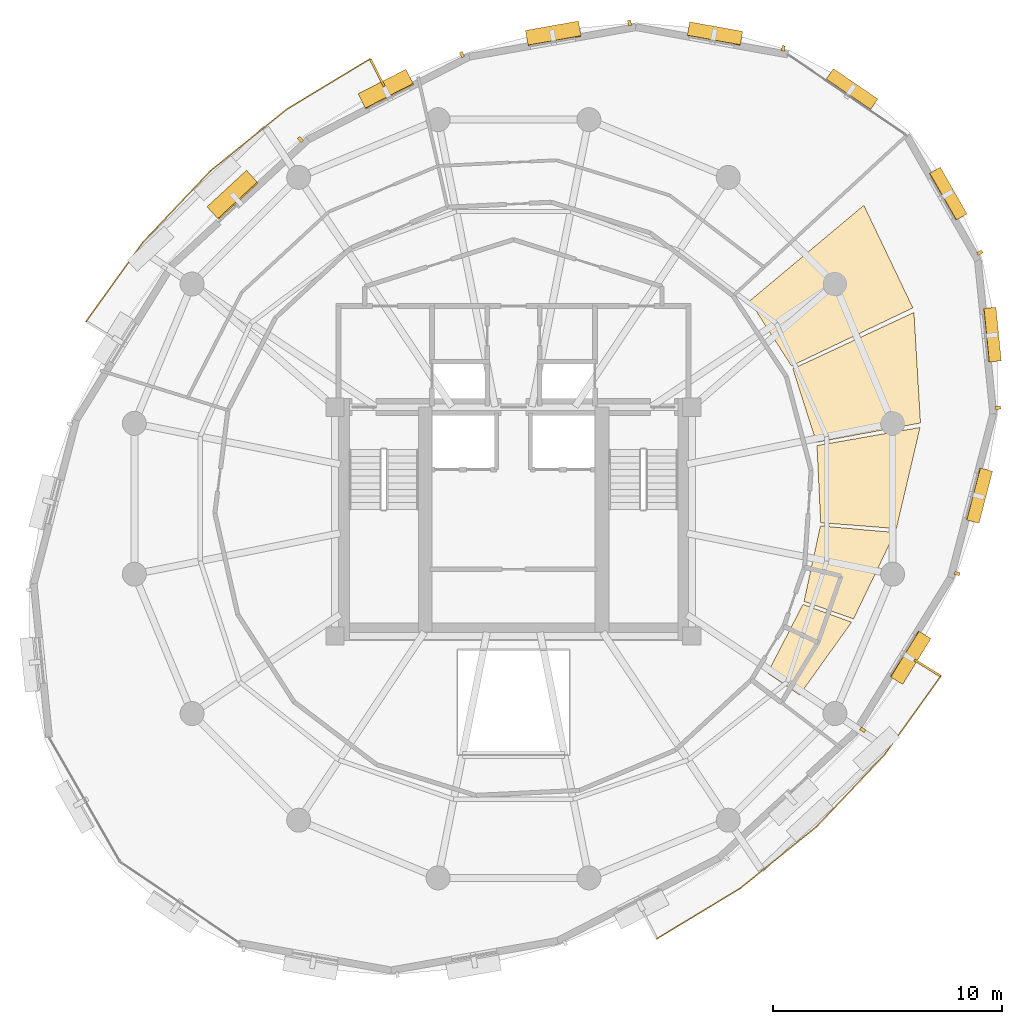
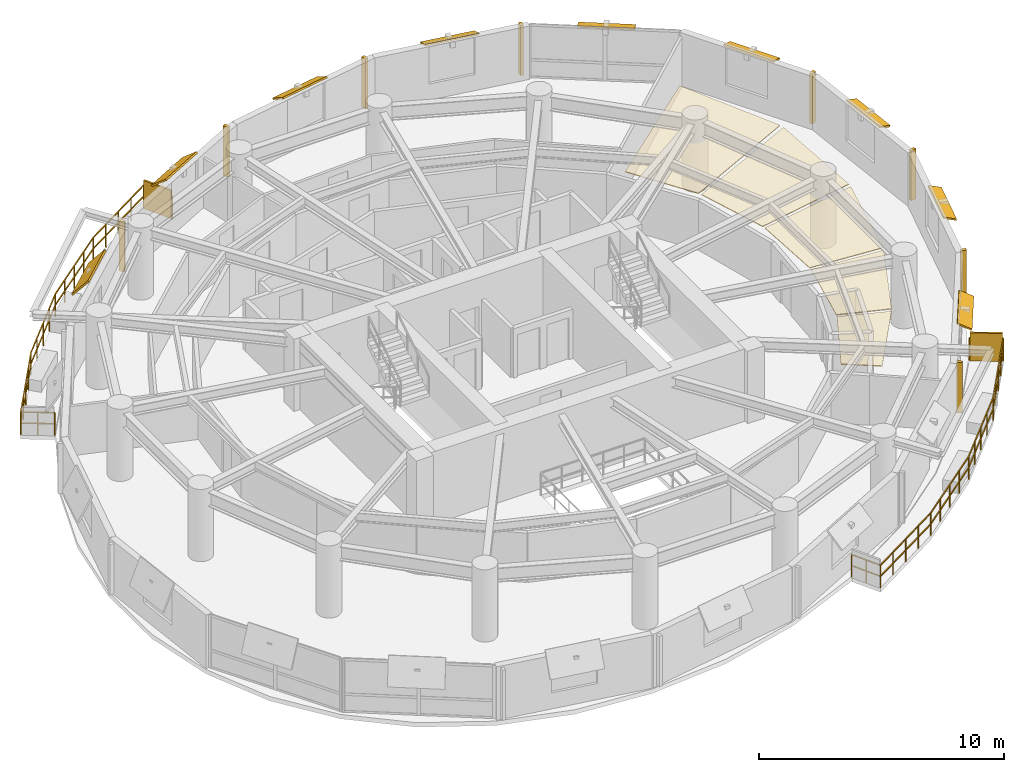
# One storey, part 12 of 12: 19 shading devices, 5 coverings, 2 railings.
"""IFC4 building model written with IfcOpenShell, lengths in metres."""

from ifc_helpers import new_model, si_unit, direction, frame, origin, origin_2d, place, context, subcontext, project, spatial, polyline, rectangle, outline, extrude, material, layer, layer_set, type_object, element, save


model = new_model("IFC4")

# Units and contexts
model_context = context("Model", 3, precision=1e-05, world=origin(), true_north=direction((0.0, 1.0)))
body_context = subcontext(model_context, "Body", "Model", "MODEL_VIEW")
ifc_project = project(units=[si_unit("LENGTHUNIT", "METRE"), si_unit("AREAUNIT", "SQUARE_METRE"), si_unit("VOLUMEUNIT", "CUBIC_METRE"), si_unit("PLANEANGLEUNIT", "RADIAN"), si_unit("MASSUNIT", "GRAM", prefix="KILO"), si_unit("THERMODYNAMICTEMPERATUREUNIT", "KELVIN"), si_unit("POWERUNIT", "WATT")], contexts=[model_context])

# Site, building, storey
site_placement = place(None, origin())
site = spatial("IfcSite", under=ifc_project, at=site_placement, CompositionType="ELEMENT")
building_placement = place(site_placement, origin())
building = spatial("IfcBuilding", under=site, at=building_placement, Name="Ocrelia Relay Tower", CompositionType="ELEMENT")
storey_placement = place(building_placement, frame((0.0, 0.0, 209.60009765625)))
storey = spatial("IfcBuildingStorey", under=building, at=storey_placement, Name="L51", CompositionType="ELEMENT", Elevation=209.60009765625)

# Coverings
ifc_material_1 = material(Name="Mineral-fiber acoustic ceiling tile", Category="gypsum")
ifc_layer_1 = layer(ifc_material_1, 0.0400390625, Name="Mineral-fiber acoustic ceiling tile")
ifc_layer_set_1 = layer_set([ifc_layer_1], Name="Mineral-fiber acoustic ceiling tile")
covering_type = type_object("IfcCoveringType", Name="COV-CEIL-ACOUSTIC", PredefinedType="CEILING", material=ifc_layer_set_1)
covering_1_placement = place(storey_placement, frame((0.0, 0.0, 2.3798828125)))
element("IfcCovering", 1, at=covering_1_placement, inside=storey, type_object=covering_type, Name="L51 Spectrum Operations Office Suspended Ceiling 1", PredefinedType="CEILING", context=body_context, shape_type="SweptSolid", body=[
    extrude(outline(polyline([(45.107666015625, 18.380126953125), (46.50439453125, 17.422119140625), (48.78271484375, 20.60498046875), (46.653564453125, 21.3818359375), (45.107666015625, 18.380126953125)])), origin(), (0.0, 0.0, 1.0), 0.0400390625),
])
covering_2_placement = place(storey_placement, frame((0.0, 0.0, 2.3798828125)))
element("IfcCovering", 2, at=covering_2_placement, inside=storey, type_object=covering_type, Name="L51 Spectrum Operations Office Suspended Ceiling 2", PredefinedType="CEILING", context=body_context, shape_type="SweptSolid", body=[
    extrude(outline(polyline([(46.701416015625, 21.5146484375), (48.869140625, 20.7490234375), (50.678466796875, 24.526123046875), (47.417724609375, 24.814208984375), (46.701416015625, 21.5146484375)])), origin(), (0.0, 0.0, 1.0), 0.0400390625),
])
covering_3_placement = place(storey_placement, frame((0.0, 0.0, 2.3798828125)))
element("IfcCovering", 3, at=covering_3_placement, inside=storey, type_object=covering_type, Name="L51 Spectrum Operations Office Suspended Ceiling 3", PredefinedType="CEILING", context=body_context, shape_type="SweptSolid", body=[
    extrude(outline(polyline([(47.429443359375, 24.954833984375), (50.740478515625, 24.697265625), (51.77490234375, 29.1181640625), (47.267333984375, 28.327392578125), (47.429443359375, 24.954833984375)])), origin(), (0.0, 0.0, 1.0), 0.0400390625),
])
covering_4_placement = place(storey_placement, frame((0.0, 0.0, 2.3798828125)))
element("IfcCovering", 4, at=covering_4_placement, inside=storey, type_object=covering_type, Name="L51 Spectrum Operations Office Suspended Ceiling 4", PredefinedType="CEILING", context=body_context, shape_type="SweptSolid", body=[
    extrude(outline(polyline([(47.2421875, 28.46630859375), (51.794921875, 29.314208984375), (51.50830078125, 34.145751953125), (46.212890625, 31.681884765625), (47.2421875, 28.46630859375)])), origin(), (0.0, 0.0, 1.0), 0.0400390625),
])
covering_5_placement = place(storey_placement, frame((0.0, 0.0, 2.3798828125)))
element("IfcCovering", 5, at=covering_5_placement, inside=storey, type_object=covering_type, Name="L51 Spectrum Operations Office Suspended Ceiling 5", PredefinedType="CEILING", context=body_context, shape_type="SweptSolid", body=[
    extrude(outline(polyline([(46.15283203125, 31.8095703125), (51.460205078125, 34.3466796875), (49.31787109375, 38.83056640625), (44.326171875, 34.6494140625), (46.15283203125, 31.8095703125)])), origin(), (0.0, 0.0, 1.0), 0.0400390625),
])

# Railings
ifc_material_2 = material(Name="Steel S355 balustrade", Category="steel")
railing_type = type_object("IfcRailingType", Name="RL-EXT-GUARD-1150", PredefinedType="GUARDRAIL", material=ifc_material_2)
railing_1_placement = place(storey_placement, frame((16.501708984375, 33.0263671875, 0.0)))
element("IfcRailing", 6, at=railing_1_placement, inside=storey, type_object=railing_type, Name="L51 Loggia Balcony Guard Rail B1", PredefinedType="GUARDRAIL", context=body_context, shape_type="SweptSolid", body=[
    extrude(rectangle(XDim=0.048095703125, YDim=0.048095703125, at=origin_2d()), frame((0.0, 0.0, 1.1259765625), z_axis=(-0.85168839401, 0.524048546901, 0.0), x_axis=(-0.524048546901, -0.85168839401, 0.0)), (0.0, 0.0, 1.0), 1.393310546875),
    extrude(rectangle(XDim=0.048095703125, YDim=0.048095703125, at=origin_2d()), frame((0.0, 0.0, 0.574951171875), z_axis=(-0.85168839401, 0.524048546901, 0.0), x_axis=(-0.524048546901, -0.85168839401, 0.0)), (0.0, 0.0, 1.0), 1.393310546875),
    extrude(rectangle(XDim=0.048095703125, YDim=0.048095703125, at=origin_2d()), frame((-1.186767578125, 0.730224609375, 1.1259765625), z_axis=(0.582724968651, 0.812669435201, 0.0), x_axis=(-0.812669435201, 0.582724968651, 0.0)), (0.0, 0.0, 1.0), 2.126708984375),
    extrude(rectangle(XDim=0.048095703125, YDim=0.048095703125, at=origin_2d()), frame((-1.186767578125, 0.730224609375, 0.574951171875), z_axis=(0.582724968651, 0.812669435201, 0.0), x_axis=(-0.812669435201, 0.582724968651, 0.0)), (0.0, 0.0, 1.0), 2.126708984375),
    extrude(rectangle(XDim=0.048095703125, YDim=0.048095703125, at=origin_2d()), frame((0.052490234375, 2.45849609375, 1.1259765625), z_axis=(0.58259478202, 0.812762769794, 0.0), x_axis=(-0.812762769794, 0.58259478202, 0.0)), (0.0, 0.0, 1.0), 2.126708984375),
    extrude(rectangle(XDim=0.048095703125, YDim=0.048095703125, at=origin_2d()), frame((0.052490234375, 2.45849609375, 0.574951171875), z_axis=(0.58259478202, 0.812762769794, 0.0), x_axis=(-0.812762769794, 0.58259478202, 0.0)), (0.0, 0.0, 1.0), 2.126708984375),
    extrude(rectangle(XDim=0.048095703125, YDim=0.048095703125, at=origin_2d()), frame((1.29150390625, 4.18701171875, 1.1259765625), z_axis=(0.68724197613, 0.726428569265, 0.0), x_axis=(-0.726428569265, 0.68724197613, 0.0)), (0.0, 0.0, 1.0), 4.298828125),
    extrude(rectangle(XDim=0.048095703125, YDim=0.048095703125, at=origin_2d()), frame((1.29150390625, 4.18701171875, 0.574951171875), z_axis=(0.68724197613, 0.726428569265, 0.0), x_axis=(-0.726428569265, 0.68724197613, 0.0)), (0.0, 0.0, 1.0), 4.298828125),
    extrude(rectangle(XDim=0.048095703125, YDim=0.048095703125, at=origin_2d()), frame((4.245849609375, 7.309814453125, 1.1259765625), z_axis=(0.778130107666, 0.628103124928, 0.0), x_axis=(-0.628103124928, 0.778130107666, 0.0)), (0.0, 0.0, 1.0), 4.29931640625),
    extrude(rectangle(XDim=0.048095703125, YDim=0.048095703125, at=origin_2d()), frame((4.245849609375, 7.309814453125, 0.574951171875), z_axis=(0.778130107666, 0.628103124928, 0.0), x_axis=(-0.628103124928, 0.778130107666, 0.0)), (0.0, 0.0, 1.0), 4.29931640625),
    extrude(rectangle(XDim=0.048095703125, YDim=0.048095703125, at=origin_2d()), frame((7.59130859375, 10.01025390625, 1.1259765625), z_axis=(0.855918717951, 0.517110383052, 0.0), x_axis=(-0.517110383052, 0.855918717951, 0.0)), (0.0, 0.0, 1.0), 2.12646484375),
    extrude(rectangle(XDim=0.048095703125, YDim=0.048095703125, at=origin_2d()), frame((7.59130859375, 10.01025390625, 0.574951171875), z_axis=(0.855918717951, 0.517110383052, 0.0), x_axis=(-0.517110383052, 0.855918717951, 0.0)), (0.0, 0.0, 1.0), 2.12646484375),
    extrude(rectangle(XDim=0.048095703125, YDim=0.048095703125, at=origin_2d()), frame((9.411376953125, 11.10986328125, 1.1259765625), z_axis=(0.855949414347, 0.517059571113, 0.0), x_axis=(-0.517059571113, 0.855949414347, 0.0)), (0.0, 0.0, 1.0), 2.126708984375),
    extrude(rectangle(XDim=0.048095703125, YDim=0.048095703125, at=origin_2d()), frame((9.411376953125, 11.10986328125, 0.574951171875), z_axis=(0.855949414347, 0.517059571113, 0.0), x_axis=(-0.517059571113, 0.855949414347, 0.0)), (0.0, 0.0, 1.0), 2.126708984375),
    extrude(rectangle(XDim=0.048095703125, YDim=0.048095703125, at=origin_2d()), frame((11.231689453125, 12.20947265625, 1.1259765625), z_axis=(0.455604989498, -0.890182056404, 0.0), x_axis=(0.890182056404, 0.455604989498, 0.0)), (0.0, 0.0, 1.0), 1.393310546875),
    extrude(rectangle(XDim=0.048095703125, YDim=0.048095703125, at=origin_2d()), frame((11.231689453125, 12.20947265625, 0.574951171875), z_axis=(0.455604989498, -0.890182056404, 0.0), x_axis=(0.890182056404, 0.455604989498, 0.0)), (0.0, 0.0, 1.0), 1.393310546875),
    extrude(rectangle(XDim=0.0419921875, YDim=0.0419921875, at=origin_2d()), origin(), (0.0, 0.0, 1.0), 1.101806640625),
    extrude(rectangle(XDim=0.0419921875, YDim=0.0419921875, at=origin_2d()), frame((-0.59326171875, 0.365234375, 0.0)), (0.0, 0.0, 1.0), 1.101806640625),
    extrude(rectangle(XDim=0.0419921875, YDim=0.0419921875, at=origin_2d()), frame((-1.186767578125, 0.730224609375, 0.0)), (0.0, 0.0, 1.0), 1.101806640625),
    extrude(rectangle(XDim=0.0419921875, YDim=0.0419921875, at=origin_2d()), frame((-0.567138671875, 1.59423828125, 0.0)), (0.0, 0.0, 1.0), 1.101806640625),
    extrude(rectangle(XDim=0.0419921875, YDim=0.0419921875, at=origin_2d()), frame((0.052490234375, 2.45849609375, 0.0)), (0.0, 0.0, 1.0), 1.101806640625),
    extrude(rectangle(XDim=0.0419921875, YDim=0.0419921875, at=origin_2d()), frame((0.671875, 3.32275390625, 0.0)), (0.0, 0.0, 1.0), 1.101806640625),
    extrude(rectangle(XDim=0.0419921875, YDim=0.0419921875, at=origin_2d()), frame((1.29150390625, 4.18701171875, 0.0)), (0.0, 0.0, 1.0), 1.101806640625),
    extrude(rectangle(XDim=0.0419921875, YDim=0.0419921875, at=origin_2d()), frame((2.030029296875, 4.9677734375, 0.0)), (0.0, 0.0, 1.0), 1.101806640625),
    extrude(rectangle(XDim=0.0419921875, YDim=0.0419921875, at=origin_2d()), frame((2.7685546875, 5.74853515625, 0.0)), (0.0, 0.0, 1.0), 1.101806640625),
    extrude(rectangle(XDim=0.0419921875, YDim=0.0419921875, at=origin_2d()), frame((3.50732421875, 6.529052734375, 0.0)), (0.0, 0.0, 1.0), 1.101806640625),
    extrude(rectangle(XDim=0.0419921875, YDim=0.0419921875, at=origin_2d()), frame((4.245849609375, 7.309814453125, 0.0)), (0.0, 0.0, 1.0), 1.101806640625),
    extrude(rectangle(XDim=0.0419921875, YDim=0.0419921875, at=origin_2d()), frame((5.082275390625, 7.98486328125, 0.0)), (0.0, 0.0, 1.0), 1.101806640625),
    extrude(rectangle(XDim=0.0419921875, YDim=0.0419921875, at=origin_2d()), frame((5.91845703125, 8.66015625, 0.0)), (0.0, 0.0, 1.0), 1.101806640625),
    extrude(rectangle(XDim=0.0419921875, YDim=0.0419921875, at=origin_2d()), frame((6.7548828125, 9.335205078125, 0.0)), (0.0, 0.0, 1.0), 1.101806640625),
    extrude(rectangle(XDim=0.0419921875, YDim=0.0419921875, at=origin_2d()), frame((7.59130859375, 10.01025390625, 0.0)), (0.0, 0.0, 1.0), 1.101806640625),
    extrude(rectangle(XDim=0.0419921875, YDim=0.0419921875, at=origin_2d()), frame((8.50146484375, 10.56005859375, 0.0)), (0.0, 0.0, 1.0), 1.101806640625),
    extrude(rectangle(XDim=0.0419921875, YDim=0.0419921875, at=origin_2d()), frame((9.411376953125, 11.10986328125, 0.0)), (0.0, 0.0, 1.0), 1.101806640625),
    extrude(rectangle(XDim=0.0419921875, YDim=0.0419921875, at=origin_2d()), frame((10.321533203125, 11.65966796875, 0.0)), (0.0, 0.0, 1.0), 1.101806640625),
    extrude(rectangle(XDim=0.0419921875, YDim=0.0419921875, at=origin_2d()), frame((11.231689453125, 12.20947265625, 0.0)), (0.0, 0.0, 1.0), 1.101806640625),
    extrude(rectangle(XDim=0.0419921875, YDim=0.0419921875, at=origin_2d()), frame((11.549072265625, 11.58935546875, 0.0)), (0.0, 0.0, 1.0), 1.101806640625),
    extrude(rectangle(XDim=0.0419921875, YDim=0.0419921875, at=origin_2d()), frame((11.866455078125, 10.96923828125, 0.0)), (0.0, 0.0, 1.0), 1.101806640625),
])
railing_2_placement = place(storey_placement, frame((51.498291015625, 18.9736328125, 0.0)))
element("IfcRailing", 7, at=railing_2_placement, inside=storey, type_object=railing_type, Name="L51 Loggia Balcony Guard Rail B2", PredefinedType="GUARDRAIL", context=body_context, shape_type="SweptSolid", body=[
    extrude(rectangle(XDim=0.048095703125, YDim=0.048095703125, at=origin_2d()), frame((0.0, 0.0, 1.1259765625), z_axis=(0.85168839401, -0.524048546901, 0.0), x_axis=(0.524048546901, 0.85168839401, 0.0)), (0.0, 0.0, 1.0), 1.393310546875),
    extrude(rectangle(XDim=0.048095703125, YDim=0.048095703125, at=origin_2d()), frame((0.0, 0.0, 0.574951171875), z_axis=(0.85168839401, -0.524048546901, 0.0), x_axis=(0.524048546901, 0.85168839401, 0.0)), (0.0, 0.0, 1.0), 1.393310546875),
    extrude(rectangle(XDim=0.048095703125, YDim=0.048095703125, at=origin_2d()), frame((1.186767578125, -0.730224609375, 1.1259765625), z_axis=(-0.582724968651, -0.812669435201, 0.0), x_axis=(0.812669435201, -0.582724968651, 0.0)), (0.0, 0.0, 1.0), 2.126708984375),
    extrude(rectangle(XDim=0.048095703125, YDim=0.048095703125, at=origin_2d()), frame((1.186767578125, -0.730224609375, 0.574951171875), z_axis=(-0.582724968651, -0.812669435201, 0.0), x_axis=(0.812669435201, -0.582724968651, 0.0)), (0.0, 0.0, 1.0), 2.126708984375),
    extrude(rectangle(XDim=0.048095703125, YDim=0.048095703125, at=origin_2d()), frame((-0.052490234375, -2.45849609375, 1.1259765625), z_axis=(-0.58259478202, -0.812762769794, 0.0), x_axis=(0.812762769794, -0.58259478202, 0.0)), (0.0, 0.0, 1.0), 2.126708984375),
    extrude(rectangle(XDim=0.048095703125, YDim=0.048095703125, at=origin_2d()), frame((-0.052490234375, -2.45849609375, 0.574951171875), z_axis=(-0.58259478202, -0.812762769794, 0.0), x_axis=(0.812762769794, -0.58259478202, 0.0)), (0.0, 0.0, 1.0), 2.126708984375),
    extrude(rectangle(XDim=0.048095703125, YDim=0.048095703125, at=origin_2d()), frame((-1.29150390625, -4.18701171875, 1.1259765625), z_axis=(-0.68724197613, -0.726428569265, 0.0), x_axis=(0.726428569265, -0.68724197613, 0.0)), (0.0, 0.0, 1.0), 4.298828125),
    extrude(rectangle(XDim=0.048095703125, YDim=0.048095703125, at=origin_2d()), frame((-1.29150390625, -4.18701171875, 0.574951171875), z_axis=(-0.68724197613, -0.726428569265, 0.0), x_axis=(0.726428569265, -0.68724197613, 0.0)), (0.0, 0.0, 1.0), 4.298828125),
    extrude(rectangle(XDim=0.048095703125, YDim=0.048095703125, at=origin_2d()), frame((-4.245849609375, -7.309814453125, 1.1259765625), z_axis=(-0.778130107666, -0.628103124928, 0.0), x_axis=(0.628103124928, -0.778130107666, 0.0)), (0.0, 0.0, 1.0), 4.29931640625),
    extrude(rectangle(XDim=0.048095703125, YDim=0.048095703125, at=origin_2d()), frame((-4.245849609375, -7.309814453125, 0.574951171875), z_axis=(-0.778130107666, -0.628103124928, 0.0), x_axis=(0.628103124928, -0.778130107666, 0.0)), (0.0, 0.0, 1.0), 4.29931640625),
    extrude(rectangle(XDim=0.048095703125, YDim=0.048095703125, at=origin_2d()), frame((-7.59130859375, -10.01025390625, 1.1259765625), z_axis=(-0.855918717951, -0.517110383052, 0.0), x_axis=(0.517110383052, -0.855918717951, 0.0)), (0.0, 0.0, 1.0), 2.12646484375),
    extrude(rectangle(XDim=0.048095703125, YDim=0.048095703125, at=origin_2d()), frame((-7.59130859375, -10.01025390625, 0.574951171875), z_axis=(-0.855918717951, -0.517110383052, 0.0), x_axis=(0.517110383052, -0.855918717951, 0.0)), (0.0, 0.0, 1.0), 2.12646484375),
    extrude(rectangle(XDim=0.048095703125, YDim=0.048095703125, at=origin_2d()), frame((-9.411376953125, -11.10986328125, 1.1259765625), z_axis=(-0.855949414347, -0.517059571113, 0.0), x_axis=(0.517059571113, -0.855949414347, 0.0)), (0.0, 0.0, 1.0), 2.126708984375),
    extrude(rectangle(XDim=0.048095703125, YDim=0.048095703125, at=origin_2d()), frame((-9.411376953125, -11.10986328125, 0.574951171875), z_axis=(-0.855949414347, -0.517059571113, 0.0), x_axis=(0.517059571113, -0.855949414347, 0.0)), (0.0, 0.0, 1.0), 2.126708984375),
    extrude(rectangle(XDim=0.048095703125, YDim=0.048095703125, at=origin_2d()), frame((-11.231689453125, -12.20947265625, 1.1259765625), z_axis=(-0.455604989498, 0.890182056404, 0.0), x_axis=(-0.890182056404, -0.455604989498, 0.0)), (0.0, 0.0, 1.0), 1.393310546875),
    extrude(rectangle(XDim=0.048095703125, YDim=0.048095703125, at=origin_2d()), frame((-11.231689453125, -12.20947265625, 0.574951171875), z_axis=(-0.455604989498, 0.890182056404, 0.0), x_axis=(-0.890182056404, -0.455604989498, 0.0)), (0.0, 0.0, 1.0), 1.393310546875),
    extrude(rectangle(XDim=0.0419921875, YDim=0.0419921875, at=origin_2d()), origin(), (0.0, 0.0, 1.0), 1.101806640625),
    extrude(rectangle(XDim=0.0419921875, YDim=0.0419921875, at=origin_2d()), frame((0.59326171875, -0.365234375, 0.0)), (0.0, 0.0, 1.0), 1.101806640625),
    extrude(rectangle(XDim=0.0419921875, YDim=0.0419921875, at=origin_2d()), frame((1.186767578125, -0.730224609375, 0.0)), (0.0, 0.0, 1.0), 1.101806640625),
    extrude(rectangle(XDim=0.0419921875, YDim=0.0419921875, at=origin_2d()), frame((0.567138671875, -1.59423828125, 0.0)), (0.0, 0.0, 1.0), 1.101806640625),
    extrude(rectangle(XDim=0.0419921875, YDim=0.0419921875, at=origin_2d()), frame((-0.052490234375, -2.45849609375, 0.0)), (0.0, 0.0, 1.0), 1.101806640625),
    extrude(rectangle(XDim=0.0419921875, YDim=0.0419921875, at=origin_2d()), frame((-0.671875, -3.32275390625, 0.0)), (0.0, 0.0, 1.0), 1.101806640625),
    extrude(rectangle(XDim=0.0419921875, YDim=0.0419921875, at=origin_2d()), frame((-1.29150390625, -4.18701171875, 0.0)), (0.0, 0.0, 1.0), 1.101806640625),
    extrude(rectangle(XDim=0.0419921875, YDim=0.0419921875, at=origin_2d()), frame((-2.030029296875, -4.9677734375, 0.0)), (0.0, 0.0, 1.0), 1.101806640625),
    extrude(rectangle(XDim=0.0419921875, YDim=0.0419921875, at=origin_2d()), frame((-2.7685546875, -5.74853515625, 0.0)), (0.0, 0.0, 1.0), 1.101806640625),
    extrude(rectangle(XDim=0.0419921875, YDim=0.0419921875, at=origin_2d()), frame((-3.50732421875, -6.529052734375, 0.0)), (0.0, 0.0, 1.0), 1.101806640625),
    extrude(rectangle(XDim=0.0419921875, YDim=0.0419921875, at=origin_2d()), frame((-4.245849609375, -7.309814453125, 0.0)), (0.0, 0.0, 1.0), 1.101806640625),
    extrude(rectangle(XDim=0.0419921875, YDim=0.0419921875, at=origin_2d()), frame((-5.082275390625, -7.98486328125, 0.0)), (0.0, 0.0, 1.0), 1.101806640625),
    extrude(rectangle(XDim=0.0419921875, YDim=0.0419921875, at=origin_2d()), frame((-5.91845703125, -8.66015625, 0.0)), (0.0, 0.0, 1.0), 1.101806640625),
    extrude(rectangle(XDim=0.0419921875, YDim=0.0419921875, at=origin_2d()), frame((-6.7548828125, -9.335205078125, 0.0)), (0.0, 0.0, 1.0), 1.101806640625),
    extrude(rectangle(XDim=0.0419921875, YDim=0.0419921875, at=origin_2d()), frame((-7.59130859375, -10.01025390625, 0.0)), (0.0, 0.0, 1.0), 1.101806640625),
    extrude(rectangle(XDim=0.0419921875, YDim=0.0419921875, at=origin_2d()), frame((-8.50146484375, -10.56005859375, 0.0)), (0.0, 0.0, 1.0), 1.101806640625),
    extrude(rectangle(XDim=0.0419921875, YDim=0.0419921875, at=origin_2d()), frame((-9.411376953125, -11.10986328125, 0.0)), (0.0, 0.0, 1.0), 1.101806640625),
    extrude(rectangle(XDim=0.0419921875, YDim=0.0419921875, at=origin_2d()), frame((-10.321533203125, -11.65966796875, 0.0)), (0.0, 0.0, 1.0), 1.101806640625),
    extrude(rectangle(XDim=0.0419921875, YDim=0.0419921875, at=origin_2d()), frame((-11.231689453125, -12.20947265625, 0.0)), (0.0, 0.0, 1.0), 1.101806640625),
    extrude(rectangle(XDim=0.0419921875, YDim=0.0419921875, at=origin_2d()), frame((-11.549072265625, -11.58935546875, 0.0)), (0.0, 0.0, 1.0), 1.101806640625),
    extrude(rectangle(XDim=0.0419921875, YDim=0.0419921875, at=origin_2d()), frame((-11.866455078125, -10.96923828125, 0.0)), (0.0, 0.0, 1.0), 1.101806640625),
])

# Shading devices
ifc_material_3 = material(Name="Perforated oxide terracotta solar screen", Category="masonry")
ifc_layer_2 = layer(ifc_material_3, 0.090087890625, Name="Perforated oxide terracotta solar screen")
ifc_layer_set_2 = layer_set([ifc_layer_2], Name="Perforated oxide terracotta solar screen")
shading_device_type_1 = type_object("IfcShadingDeviceType", Name="SH-BALC-SCREEN", PredefinedType="USERDEFINED", material=ifc_layer_set_2)
for number, where, z_axis, x_axis, name in (
    (8, (28.05078125, 44.61572265625, 0.0), (0.0, 0.0, 1.0), (-0.455633199369, 0.890167617718, 0.0), "L51 Balcony Perforated Terracotta Screen B1-1"),
    (9, (52.091552734375, 18.6083984375, 0.0), (0.0, 0.0, 1.0), (0.851702666048, -0.524025351149, 0.0), "L51 Balcony Perforated Terracotta Screen B2-2"),
):
    element("IfcShadingDevice", number, at=place(storey_placement, frame(where, z_axis=z_axis, x_axis=x_axis)), inside=storey, type_object=shading_device_type_1, Name=name, ObjectType="SCREEN", PredefinedType="USERDEFINED", context=body_context, shape_type="SweptSolid", body=[
        extrude(rectangle(XDim=1.340087890625, YDim=0.090087890625, at=origin_2d()), origin(), (0.0, 0.0, 1.0), 1.39990234375),
    ])
ifc_material_4 = material(Name="Extruded oxide terracotta vertical baguette", Category="masonry")
shading_device_type_2 = type_object("IfcShadingDeviceType", Name="SH-TERR-BAGUETTE", PredefinedType="USERDEFINED", material=ifc_material_4)
for number, where, z_axis, x_axis, name in (
    (10, (45.795654296875, 45.690673828125, 0.079833984375), (0.0, 0.0, 1.0), (-0.984177998665, 0.177182580813, 0.0), "L51 Oxide Terracotta Vertical Baguette 02"),
    (11, (39.076416015625, 46.801513671875, 0.079833984375), (0.0, 0.0, 1.0), (-0.984641974301, -0.174585745251, 0.0), "L51 Oxide Terracotta Vertical Baguette 03"),
    (12, (31.750244140625, 45.420166015625, 0.079833984375), (0.0, 0.0, 1.0), (-0.889484152815, -0.45696601831, 0.0), "L51 Oxide Terracotta Vertical Baguette 04"),
    (13, (24.685546875, 41.708984375, 0.079833984375), (0.0, 0.0, 1.0), (-0.73432773134, -0.678795096465, 0.0), "L51 Oxide Terracotta Vertical Baguette 05"),
    (14, (49.271484375, 15.89697265625, 0.079833984375), (0.0, 0.0, 1.0), (0.525338443164, 0.850893365901, 0.0), "L51 Oxide Terracotta Vertical Baguette 15"),
    (15, (53.397216796875, 22.733154296875, 0.079833984375), (0.0, 0.0, 1.0), (0.251310705455, 0.967906467239, 0.0), "L51 Oxide Terracotta Vertical Baguette 16"),
    (16, (55.17822265625, 29.98046875, 0.079833984375), (0.0, 0.0, 1.0), (-0.099436195657, 0.995043940232, 0.0), "L51 Oxide Terracotta Vertical Baguette 17"),
    (17, (54.383056640625, 36.7529296875, 0.079833984375), (0.0, 0.0, 1.0), (-0.496524565709, 0.868022670008, 0.0), "L51 Oxide Terracotta Vertical Baguette 18"),
):
    element("IfcShadingDevice", number, at=place(storey_placement, frame(where, z_axis=z_axis, x_axis=x_axis)), inside=storey, type_object=shading_device_type_2, Name=name, ObjectType="BAGUETTE", PredefinedType="USERDEFINED", context=body_context, shape_type="SweptSolid", body=[
        extrude(rectangle(XDim=0.139892578125, YDim=0.239990234375, at=origin_2d()), origin(), (0.0, 0.0, 1.0), 2.5),
    ])
ifc_material_5 = material(Name="Extruded oxide terracotta fin", Category="masonry")
ifc_layer_3 = layer(ifc_material_5, 0.080078125, Name="Extruded oxide terracotta fin")
ifc_layer_set_3 = layer_set([ifc_layer_3], Name="Extruded oxide terracotta fin")
shading_device_type_3 = type_object("IfcShadingDeviceType", Name="SH-VISOR-FIN-MED", PredefinedType="USERDEFINED", material=ifc_layer_set_3)
shading_device_1_placement = place(storey_placement, frame((28.4326171875, 43.88427734375, 2.46875), z_axis=(-0.286274487797, 0.55723316406, 0.779447316057), x_axis=(-0.889484152815, -0.45696601831, 0.0)))
element("IfcShadingDevice", 18, at=shading_device_1_placement, inside=storey, type_object=shading_device_type_3, Name="L51 Canted Terracotta Sun-Visor Fin 04", ObjectType="FIN", PredefinedType="USERDEFINED", context=body_context, shape_type="SweptSolid", body=[
    extrude(rectangle(XDim=2.35009765625, YDim=0.89599609375, at=origin_2d()), origin(), (0.0, 0.0, 1.0), 0.080078125),
])
shading_device_2_placement = place(storey_placement, frame((21.7421875, 39.260498046875, 2.473876953125), z_axis=(-0.514772349444, 0.556886184789, 0.651833725301), x_axis=(-0.73432773134, -0.678795096465, 0.0)))
element("IfcShadingDevice", 19, at=shading_device_2_placement, inside=storey, type_object=shading_device_type_3, Name="L51 Canted Terracotta Sun-Visor Fin 05", ObjectType="FIN", PredefinedType="USERDEFINED", context=body_context, shape_type="SweptSolid", body=[
    extrude(rectangle(XDim=2.35009765625, YDim=1.072021484375, at=origin_2d()), origin(), (0.0, 0.0, 1.0), 0.080078125),
])
ifc_layer_4 = layer(ifc_material_5, 0.080078125, Name="Extruded oxide terracotta fin")
ifc_layer_set_4 = layer_set([ifc_layer_4], Name="Extruded oxide terracotta fin")
shading_device_type_4 = type_object("IfcShadingDeviceType", Name="SH-VISOR-FIN-SHAL", PredefinedType="USERDEFINED", material=ifc_layer_set_4)
shading_device_3_placement = place(storey_placement, frame((48.786376953125, 43.891845703125, 2.46240234375), z_axis=(0.195635186146, 0.287110036317, 0.937707150974), x_axis=(-0.826390290705, 0.563097760098, 0.0)))
element("IfcShadingDevice", 20, at=shading_device_3_placement, inside=storey, type_object=shading_device_type_4, Name="L51 Canted Terracotta Sun-Visor Fin 01", ObjectType="FIN", PredefinedType="USERDEFINED", context=body_context, shape_type="SweptSolid", body=[
    extrude(rectangle(XDim=2.35009765625, YDim=0.589111328125, at=origin_2d()), origin(), (0.0, 0.0, 1.0), 0.080078125),
])
shading_device_4_placement = place(storey_placement, frame((42.80517578125, 46.317138671875, 2.46337890625), z_axis=(0.072207873958, 0.401085708051, 0.913190165155), x_axis=(-0.984177998665, 0.177182580813, 0.0)))
element("IfcShadingDevice", 21, at=shading_device_4_placement, inside=storey, type_object=shading_device_type_4, Name="L51 Canted Terracotta Sun-Visor Fin 02", ObjectType="FIN", PredefinedType="USERDEFINED", context=body_context, shape_type="SweptSolid", body=[
    extrude(rectangle(XDim=2.35009765625, YDim=0.65087890625, at=origin_2d()), origin(), (0.0, 0.0, 1.0), 0.080078125),
])
shading_device_5_placement = place(storey_placement, frame((35.745849609375, 46.3203125, 2.46533203125), z_axis=(-0.087398405849, 0.492916181455, 0.865676126917), x_axis=(-0.984641974301, -0.174585745251, 0.0)))
element("IfcShadingDevice", 22, at=shading_device_5_placement, inside=storey, type_object=shading_device_type_4, Name="L51 Canted Terracotta Sun-Visor Fin 03", ObjectType="FIN", PredefinedType="USERDEFINED", context=body_context, shape_type="SweptSolid", body=[
    extrude(rectangle(XDim=2.35009765625, YDim=0.7509765625, at=origin_2d()), origin(), (0.0, 0.0, 1.0), 0.080078125),
])
shading_device_6_placement = place(storey_placement, frame((51.341552734375, 19.0654296875, 2.4638671875), z_axis=(0.367257056285, -0.226743159509, 0.902058642343), x_axis=(0.525338443164, 0.850893365901, 0.0)))
element("IfcShadingDevice", 23, at=shading_device_6_placement, inside=storey, type_object=shading_device_type_4, Name="L51 Canted Terracotta Sun-Visor Fin 15", ObjectType="FIN", PredefinedType="USERDEFINED", context=body_context, shape_type="SweptSolid", body=[
    extrude(rectangle(XDim=2.35009765625, YDim=0.676025390625, at=origin_2d()), origin(), (0.0, 0.0, 1.0), 0.080078125),
])
shading_device_7_placement = place(storey_placement, frame((54.3544921875, 26.144287109375, 2.46240234375), z_axis=(0.333899257425, -0.08669480035, 0.93861349739), x_axis=(0.251310705455, 0.967906467239, 0.0)))
element("IfcShadingDevice", 24, at=shading_device_7_placement, inside=storey, type_object=shading_device_type_4, Name="L51 Canted Terracotta Sun-Visor Fin 16", ObjectType="FIN", PredefinedType="USERDEFINED", context=body_context, shape_type="SweptSolid", body=[
    extrude(rectangle(XDim=2.35009765625, YDim=0.5859375, at=origin_2d()), origin(), (0.0, 0.0, 1.0), 0.080078125),
])
shading_device_8_placement = place(storey_placement, frame((54.923095703125, 33.17529296875, 2.4619140625), z_axis=(0.309631878576, 0.030941966294, 0.950352931542), x_axis=(-0.099436195657, 0.995043940232, 0.0)))
element("IfcShadingDevice", 25, at=shading_device_8_placement, inside=storey, type_object=shading_device_type_4, Name="L51 Canted Terracotta Sun-Visor Fin 17", ObjectType="FIN", PredefinedType="USERDEFINED", context=body_context, shape_type="SweptSolid", body=[
    extrude(rectangle(XDim=2.35009765625, YDim=0.552001953125, at=origin_2d()), origin(), (0.0, 0.0, 1.0), 0.080078125),
])
shading_device_9_placement = place(storey_placement, frame((52.990234375, 39.33203125, 2.4619140625), z_axis=(0.273559222319, 0.156480791056, 0.949041155016), x_axis=(-0.496524565709, 0.868022670008, 0.0)))
element("IfcShadingDevice", 26, at=shading_device_9_placement, inside=storey, type_object=shading_device_type_4, Name="L51 Canted Terracotta Sun-Visor Fin 18", ObjectType="FIN", PredefinedType="USERDEFINED", context=body_context, shape_type="SweptSolid", body=[
    extrude(rectangle(XDim=2.35009765625, YDim=0.555908203125, at=origin_2d()), origin(), (0.0, 0.0, 1.0), 0.080078125),
])

save(model, "model.ifc")
